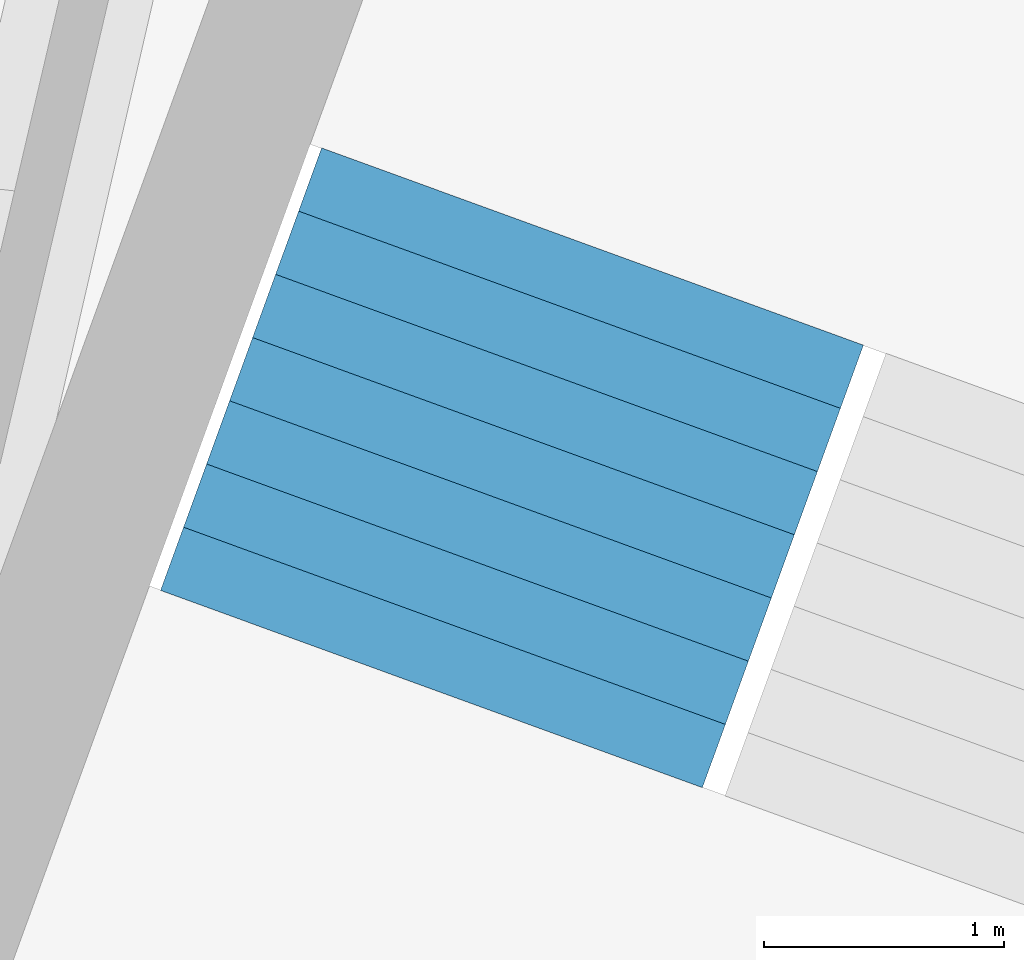
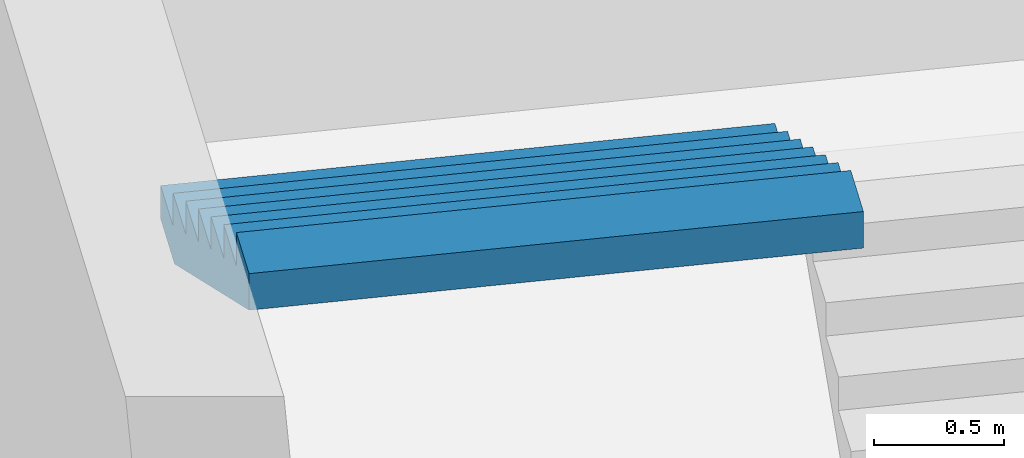
# One storey, part 46 of 73: 1 stair flight, 1 element without a shape of its own.
"""IFC4 building model written with IfcOpenShell, lengths in metres."""

import ifcopenshell
import ifcopenshell.guid

model = None  # the IFC model being written
_history = None  # IfcOwnerHistory: only IFC2X3 demands one
_inside = {}  # id of a spatial element -> (the spatial element, [elements in it])
_under = {}  # id of a project, library or spatial element -> (it, [spatial elements below it])
_declared = {}  # id of a project -> (the project, [libraries it declares])
_typed = {}  # id of a type object -> (the type object, [elements of that type])
_made_of = {}  # id of a material, layer set ... -> (it, [elements and type objects made of it])


def new_model(schema):
    """Start an empty IFC model of exactly this schema.

    Asked for "IFC4X3", IfcOpenShell would pick the latest addendum, in which some entities
    have other attributes; the version numbers below select the first issue.
    IFC2X3 requires an IfcOwnerHistory on every rooted entity: one is made here for all.
    """
    global model, _history
    if schema == "IFC4X3":
        model = ifcopenshell.file(schema_version=(4, 3, 0, 0))
    else:
        model = ifcopenshell.file(schema=schema)
    _inside.clear()
    _under.clear()
    _declared.clear()
    _typed.clear()
    _made_of.clear()
    _history = None
    if model.schema == "IFC2X3":
        org = make("IfcOrganization", Name="unknown")
        user = make(
            "IfcPersonAndOrganization",
            ThePerson=make("IfcPerson", FamilyName="unknown"),
            TheOrganization=org,
        )
        app = make(
            "IfcApplication",
            ApplicationDeveloper=org,
            Version="unknown",
            ApplicationFullName="unknown",
            ApplicationIdentifier="unknown",
        )
        _history = make(
            "IfcOwnerHistory",
            OwningUser=user,
            OwningApplication=app,
            ChangeAction="ADDED",
            CreationDate=0,
        )
    return model


def make(cls, **values):
    """One entity of the class cls with the attributes given. An attribute that is None is left unset."""
    return model.create_entity(
        cls, **{name: value for name, value in values.items() if value is not None}
    )


def rooted(cls, **values):
    """An entity with a GlobalId (a new one), such as an element, a storey or a relation."""
    return make(cls, GlobalId=ifcopenshell.guid.new(), OwnerHistory=_history, **values)


def si_unit(unit_type, name, prefix=None):
    """IfcSIUnit, for example si_unit("LENGTHUNIT", "METRE", prefix="MILLI")."""
    return make("IfcSIUnit", UnitType=unit_type, Prefix=prefix, Name=name)


def assignment(units):
    """IfcUnitAssignment: the units of a project."""
    return None if units is None else make("IfcUnitAssignment", Units=units)


def point(xyz):
    """IfcCartesianPoint."""
    return None if xyz is None else make("IfcCartesianPoint", Coordinates=xyz)


def direction(xyz):
    """IfcDirection."""
    return None if xyz is None else make("IfcDirection", DirectionRatios=xyz)


def frame(location, z_axis=None, x_axis=None):
    """IfcAxis2Placement3D, a coordinate frame: its origin and axes. An axis left out is left unset."""
    return make(
        "IfcAxis2Placement3D",
        Location=point(location),
        Axis=direction(z_axis),
        RefDirection=direction(x_axis),
    )


def origin():
    """The frame at (0, 0, 0) with its axes left unset."""
    return frame((0.0, 0.0, 0.0))


def place(relative_to, where):
    """IfcLocalPlacement: puts the frame where relative to a parent placement (None: the world)."""
    return make(
        "IfcLocalPlacement", PlacementRelTo=relative_to, RelativePlacement=where
    )


def context(
    kind, dimensions, precision=None, world=None, true_north=None, identifier=None
):
    """IfcGeometricRepresentationContext, for example the 3D "Model" context."""
    return make(
        "IfcGeometricRepresentationContext",
        ContextIdentifier=identifier,
        ContextType=kind,
        CoordinateSpaceDimension=dimensions,
        Precision=precision,
        WorldCoordinateSystem=world,
        TrueNorth=true_north,
    )


def subcontext(parent, identifier, kind, view, scale=None):
    """IfcGeometricRepresentationSubContext, for example "Body" below "Model"."""
    return make(
        "IfcGeometricRepresentationSubContext",
        ContextIdentifier=identifier,
        ContextType=kind,
        ParentContext=parent,
        TargetScale=scale,
        TargetView=view,
    )


def project(units=None, contexts=None):
    """IfcProject with its units and contexts."""
    return rooted(
        "IfcProject",
        Name="project",
        RepresentationContexts=contexts,
        UnitsInContext=assignment(units),
    )


def spatial(cls, under=None, at=None, **own):
    """A site, building, storey or space (cls), placed at a placement, below another one or the project."""
    s = rooted(cls, ObjectPlacement=at, **own)
    if under is not None:
        _under.setdefault(under.id(), (under, []))[1].append(s)
    return s


def point_list(points):
    """IfcCartesianPointList2D or 3D."""
    cls = (
        "IfcCartesianPointList2D" if len(points[0]) == 2 else "IfcCartesianPointList3D"
    )
    return make(cls, CoordList=points)


def triangles(points, corners, closed=None, point_numbers=None):
    """IfcTriangulatedFaceSet: each triangle names its three corners, points numbered from 1."""
    return make(
        "IfcTriangulatedFaceSet",
        Coordinates=point_list(points),
        Closed=closed,
        CoordIndex=corners,
        PnIndex=point_numbers,
    )


def shape(context_of_items, identifier, shape_type, items):
    """IfcShapeRepresentation: the items that make up one representation, for example the "Body"."""
    return make(
        "IfcShapeRepresentation",
        ContextOfItems=context_of_items,
        RepresentationIdentifier=identifier,
        RepresentationType=shape_type,
        Items=items,
    )


def material(Name=None, Category=None):
    """IfcMaterial."""
    return make("IfcMaterial", Name=Name, Category=Category)


def made_of(thing, what):
    """Note that an element or type object is made of a material, layer set ...; save() writes the relation."""
    if what is not None:
        _made_of.setdefault(what.id(), (what, []))[1].append(thing)
    return thing


def type_object(cls, material=None, **own):
    """A type object (cls), such as IfcWallType, which elements share."""
    return made_of(rooted(cls, **own), material)


def element(
    cls,
    number,
    at=None,
    inside=None,
    cuts=None,
    type_object=None,
    material=None,
    context=None,
    identifier="Body",
    shape_type=None,
    held_by="IfcProductDefinitionShape",
    body=None,
    shapes=None,
    **own,
):
    """One element of the class cls, such as IfcWall. Its Tag is "e" and its number.

    at: its placement. inside: the storey or other place that contains it. cuts: it is an
    opening in that element (IfcRelVoidsElement). A single representation is given by context,
    identifier, shape_type and body (its items); several are given by shapes. held_by: the class
    of the entity that holds the representations. save() writes the other relations.
    """
    e = rooted(cls, Tag="e%d" % number, ObjectPlacement=at, **own)
    if body is not None:
        shapes = [shape(context, identifier, shape_type, body)]
    if shapes is not None:
        e.Representation = make(held_by, Representations=shapes)
    if inside is not None:
        _inside.setdefault(inside.id(), (inside, []))[1].append(e)
    if cuts is not None:
        rooted(
            "IfcRelVoidsElement", RelatingBuildingElement=cuts, RelatedOpeningElement=e
        )
    if type_object is not None:
        _typed.setdefault(type_object.id(), (type_object, []))[1].append(e)
    return made_of(e, material)


def aggregate(whole, parts):
    """IfcRelAggregates: a whole, such as a stair, and the parts it consists of."""
    return rooted("IfcRelAggregates", RelatingObject=whole, RelatedObjects=parts)


def save(model, path):
    """Write the relations noted so far, then the file.

    IfcRelAggregates (storeys below a building ...), IfcRelContainedInSpatialStructure (elements
    in a storey), IfcRelDefinesByType, IfcRelAssociatesMaterial and IfcRelDeclares: one each for
    every whole, place, type object, material and project.
    """
    for whole, parts in _under.values():
        aggregate(whole, parts)
    for where, things in _inside.values():
        rooted(
            "IfcRelContainedInSpatialStructure",
            RelatedElements=things,
            RelatingStructure=where,
        )
    for kind, things in _typed.values():
        rooted("IfcRelDefinesByType", RelatedObjects=things, RelatingType=kind)
    for what, things in _made_of.values():
        rooted("IfcRelAssociatesMaterial", RelatedObjects=things, RelatingMaterial=what)
    for by, libraries in _declared.values():
        rooted("IfcRelDeclares", RelatingContext=by, RelatedDefinitions=libraries)
    model.write(path)


model = new_model("IFC4")

# Units and contexts
model_context = context("Model", 3, precision=1e-05, world=origin(), true_north=direction((0.0, 1.0)))
body_context = subcontext(model_context, "Body", "Model", "MODEL_VIEW")
ifc_project = project(units=[si_unit("LENGTHUNIT", "METRE"), si_unit("AREAUNIT", "SQUARE_METRE"), si_unit("VOLUMEUNIT", "CUBIC_METRE"), si_unit("PLANEANGLEUNIT", "RADIAN"), si_unit("MASSUNIT", "GRAM", prefix="KILO")], contexts=[model_context])

# Site, building, storey
site_placement = place(None, origin())
site = spatial("IfcSite", under=ifc_project, at=site_placement, CompositionType="ELEMENT")
building_placement = place(site_placement, origin())
building = spatial("IfcBuilding", under=site, at=building_placement, Name="Lantaw Convention Tower", CompositionType="ELEMENT")
storey_placement = place(building_placement, frame((0.0, 0.0, 27.0)))
storey = spatial("IfcBuildingStorey", under=building, at=storey_placement, Name="L04", CompositionType="ELEMENT", Elevation=27.0)

# Stair, stair flight
ifc_material = material(Name="Concrete C35/45", Category="concrete")
stair_type = type_object("IfcStairType", Name="Exit stair 2400 riser 156.25 in 4 flights", PredefinedType="HALF_TURN_STAIR", material=ifc_material)
stair_placement = place(storey_placement, origin())
stair = element("IfcStair", 1, at=stair_placement, inside=storey, type_object=stair_type, Name="Podium exit stair P5 L04", PredefinedType="HALF_TURN_STAIR")
stair_flight_type = type_object("IfcStairFlightType", Name="Stair flight 2400 riser 156.25", PredefinedType="STRAIGHT", material=ifc_material)
stair_flight_placement = place(storey_placement, frame((8.79736328125, 27.825439453125, 3.75), z_axis=(0.0, 0.0, 1.0), x_axis=(-0.342020143326, -0.939692620786, 0.0)))
stair_flight = element("IfcStairFlight", 2, at=stair_flight_placement, type_object=stair_flight_type, Name="P5 flight 4", NumberOfRisers=8, NumberOfTreads=7, PredefinedType="STRAIGHT", RiserHeight=0.15625, TreadLength=0.28, context=body_context, shape_type="Tessellation", body=[
    triangles([(0.0, 1.199951171875, 0.0), (0.0, 1.199951171875, 0.15625), (0.28, 1.199951171875, 0.0), (0.28, 1.199951171875, 0.15625), (0.28, 1.199951171875, 0.3125), (0.3076200632058044, 1.199951171875, 0.0), (0.3076200632058044, 1.199951171875, 0.3125), (0.56, 1.199951171875, 0.14083701830033238), (0.56, 1.199951171875, 0.3125), (0.56, 1.199951171875, 0.46875), (0.8400000000000001, 1.199951171875, 0.29708701830033235), (0.8400000000000001, 1.199951171875, 0.46875), (0.8400000000000001, 1.199951171875, 0.625), (1.12, 1.199951171875, 0.45333701830033235), (1.12, 1.199951171875, 0.625), (1.12, 1.199951171875, 0.78125), (1.4000000000000001, 1.199951171875, 0.6095870183003324), (1.4000000000000001, 1.199951171875, 0.78125), (1.4000000000000001, 1.199951171875, 0.9375), (1.6800000000000002, 1.199951171875, 0.7658370183003324), (1.6800000000000002, 1.199951171875, 0.9375), (1.6800000000000002, 1.199951171875, 1.09375), (1.9600000000000002, 1.199951171875, 0.9220870183003324), (1.9600000000000002, 1.199951171875, 1.09375), (0.0, -1.199951171875, 0.0), (0.0, -1.199951171875, 0.15625), (0.28, -1.199951171875, 0.0), (0.28, -1.199951171875, 0.15625), (0.28, -1.199951171875, 0.3125), (0.3076200632058044, -1.199951171875, 0.0), (0.3076200632058044, -1.199951171875, 0.3125), (0.56, -1.199951171875, 0.14083701830033238), (0.56, -1.199951171875, 0.3125), (0.56, -1.199951171875, 0.46875), (0.8400000000000001, -1.199951171875, 0.29708701830033235), (0.8400000000000001, -1.199951171875, 0.46875), (0.8400000000000001, -1.199951171875, 0.625), (1.12, -1.199951171875, 0.45333701830033235), (1.12, -1.199951171875, 0.625), (1.12, -1.199951171875, 0.78125), (1.4000000000000001, -1.199951171875, 0.6095870183003324), (1.4000000000000001, -1.199951171875, 0.78125), (1.4000000000000001, -1.199951171875, 0.9375), (1.6800000000000002, -1.199951171875, 0.7658370183003324), (1.6800000000000002, -1.199951171875, 0.9375), (1.6800000000000002, -1.199951171875, 1.09375), (1.9600000000000002, -1.199951171875, 0.9220870183003324), (1.9600000000000002, -1.199951171875, 1.09375), (0.0, 0.239990234375, 0.15625), (0.0, 0.239990234375, 0.0), (0.0, 0.1919921875, 0.15625), (0.0, 0.1919921875, 0.0), (0.0, 0.143994140625, 0.15625), (0.0, 0.143994140625, 0.0), (0.0, 0.09599609375, 0.15625), (0.0, 0.09599609375, 0.0), (0.0, 0.047998046875, 0.15625), (0.0, 0.047998046875, 0.0), (0.0, 0.0, 0.15625), (0.0, 0.0, 0.0), (0.0, -0.047998046875, 0.15625), (0.0, -0.047998046875, 0.0), (0.0, -0.09599609375, 0.15625), (0.0, -0.09599609375, 0.0), (0.0, -0.143994140625, 0.15625), (0.0, -0.143994140625, 0.0), (0.0, -0.1919921875, 0.15625), (0.0, -0.1919921875, 0.0), (0.0, -0.239990234375, 0.15625), (0.0, -0.239990234375, 0.0), (0.28, 0.239990234375, 0.3125), (0.28, 0.239990234375, 0.15625), (0.28, 0.1919921875, 0.3125), (0.28, 0.1919921875, 0.15625), (0.28, 0.143994140625, 0.3125), (0.28, 0.143994140625, 0.15625), (0.28, 0.09599609375, 0.3125), (0.28, 0.09599609375, 0.15625), (0.28, 0.047998046875, 0.3125), (0.28, 0.047998046875, 0.15625), (0.28, 0.0, 0.3125), (0.28, 0.0, 0.15625), (0.28, -0.047998046875, 0.3125), (0.28, -0.047998046875, 0.15625), (0.28, -0.09599609375, 0.3125), (0.28, -0.09599609375, 0.15625), (0.28, -0.143994140625, 0.3125), (0.28, -0.143994140625, 0.15625), (0.28, -0.1919921875, 0.3125), (0.28, -0.1919921875, 0.15625), (0.28, -0.239990234375, 0.3125), (0.28, -0.239990234375, 0.15625), (0.56, 0.239990234375, 0.46875), (0.56, 0.239990234375, 0.3125), (0.56, 0.1919921875, 0.46875), (0.56, 0.1919921875, 0.3125), (0.56, 0.143994140625, 0.46875), (0.56, 0.143994140625, 0.3125), (0.56, 0.09599609375, 0.46875), (0.56, 0.09599609375, 0.3125), (0.56, 0.047998046875, 0.46875), (0.56, 0.047998046875, 0.3125), (0.56, 0.0, 0.46875), (0.56, 0.0, 0.3125), (0.56, -0.047998046875, 0.46875), (0.56, -0.047998046875, 0.3125), (0.56, -0.09599609375, 0.46875), (0.56, -0.09599609375, 0.3125), (0.56, -0.143994140625, 0.46875), (0.56, -0.143994140625, 0.3125), (0.56, -0.1919921875, 0.46875), (0.56, -0.1919921875, 0.3125), (0.56, -0.239990234375, 0.46875), (0.56, -0.239990234375, 0.3125), (0.8400000000000001, 0.239990234375, 0.625), (0.8400000000000001, 0.239990234375, 0.46875), (0.8400000000000001, 0.1919921875, 0.625), (0.8400000000000001, 0.1919921875, 0.46875), (0.8400000000000001, 0.143994140625, 0.625), (0.8400000000000001, 0.143994140625, 0.46875), (0.8400000000000001, 0.09599609375, 0.625), (0.8400000000000001, 0.09599609375, 0.46875), (0.8400000000000001, 0.047998046875, 0.625), (0.8400000000000001, 0.047998046875, 0.46875), (0.8400000000000001, 0.0, 0.625), (0.8400000000000001, 0.0, 0.46875), (0.8400000000000001, -0.047998046875, 0.625), (0.8400000000000001, -0.047998046875, 0.46875), (0.8400000000000001, -0.09599609375, 0.625), (0.8400000000000001, -0.09599609375, 0.46875), (0.8400000000000001, -0.143994140625, 0.625), (0.8400000000000001, -0.143994140625, 0.46875), (0.8400000000000001, -0.1919921875, 0.625), (0.8400000000000001, -0.1919921875, 0.46875), (0.8400000000000001, -0.239990234375, 0.625), (0.8400000000000001, -0.239990234375, 0.46875), (1.12, 0.239990234375, 0.78125), (1.12, 0.239990234375, 0.625), (1.12, 0.1919921875, 0.78125), (1.12, 0.1919921875, 0.625), (1.12, 0.143994140625, 0.78125), (1.12, 0.143994140625, 0.625), (1.12, 0.09599609375, 0.78125), (1.12, 0.09599609375, 0.625), (1.12, 0.047998046875, 0.78125), (1.12, 0.047998046875, 0.625), (1.12, 0.0, 0.78125), (1.12, 0.0, 0.625), (1.12, -0.047998046875, 0.78125), (1.12, -0.047998046875, 0.625), (1.12, -0.09599609375, 0.78125), (1.12, -0.09599609375, 0.625), (1.12, -0.143994140625, 0.78125), (1.12, -0.143994140625, 0.625), (1.12, -0.1919921875, 0.78125), (1.12, -0.1919921875, 0.625), (1.12, -0.239990234375, 0.78125), (1.12, -0.239990234375, 0.625), (1.4000000000000001, 0.239990234375, 0.9375), (1.4000000000000001, 0.239990234375, 0.78125), (1.4000000000000001, 0.1919921875, 0.9375), (1.4000000000000001, 0.1919921875, 0.78125), (1.4000000000000001, 0.143994140625, 0.9375), (1.4000000000000001, 0.143994140625, 0.78125), (1.4000000000000001, 0.09599609375, 0.9375), (1.4000000000000001, 0.09599609375, 0.78125), (1.4000000000000001, 0.047998046875, 0.9375), (1.4000000000000001, 0.047998046875, 0.78125), (1.4000000000000001, 0.0, 0.9375), (1.4000000000000001, 0.0, 0.78125), (1.4000000000000001, -0.047998046875, 0.9375), (1.4000000000000001, -0.047998046875, 0.78125), (1.4000000000000001, -0.09599609375, 0.9375), (1.4000000000000001, -0.09599609375, 0.78125), (1.4000000000000001, -0.143994140625, 0.9375), (1.4000000000000001, -0.143994140625, 0.78125), (1.4000000000000001, -0.1919921875, 0.9375), (1.4000000000000001, -0.1919921875, 0.78125), (1.4000000000000001, -0.239990234375, 0.9375), (1.4000000000000001, -0.239990234375, 0.78125), (1.6800000000000002, 0.239990234375, 1.09375), (1.6800000000000002, 0.239990234375, 0.9375), (1.6800000000000002, 0.1919921875, 1.09375), (1.6800000000000002, 0.1919921875, 0.9375), (1.6800000000000002, 0.143994140625, 1.09375), (1.6800000000000002, 0.143994140625, 0.9375), (1.6800000000000002, 0.09599609375, 1.09375), (1.6800000000000002, 0.09599609375, 0.9375), (1.6800000000000002, 0.047998046875, 1.09375), (1.6800000000000002, 0.047998046875, 0.9375), (1.6800000000000002, 0.0, 1.09375), (1.6800000000000002, 0.0, 0.9375), (1.6800000000000002, -0.047998046875, 1.09375), (1.6800000000000002, -0.047998046875, 0.9375), (1.6800000000000002, -0.09599609375, 1.09375), (1.6800000000000002, -0.09599609375, 0.9375), (1.6800000000000002, -0.143994140625, 1.09375), (1.6800000000000002, -0.143994140625, 0.9375), (1.6800000000000002, -0.1919921875, 1.09375), (1.6800000000000002, -0.1919921875, 0.9375), (1.6800000000000002, -0.239990234375, 1.09375), (1.6800000000000002, -0.239990234375, 0.9375), (0.3076200632058044, 0.239990234375, 0.3125), (0.3076200632058044, 0.1919921875, 0.3125), (0.3076200632058044, 0.143994140625, 0.3125), (0.3076200632058044, 0.09599609375, 0.3125), (0.3076200632058044, 0.047998046875, 0.3125), (0.3076200632058044, 0.0, 0.3125), (0.3076200632058044, -0.047998046875, 0.3125), (0.3076200632058044, -0.09599609375, 0.3125), (0.3076200632058044, -0.143994140625, 0.3125), (0.3076200632058044, -0.1919921875, 0.3125), (0.3076200632058044, -0.239990234375, 0.3125), (1.9600000000000002, 0.239990234375, 1.09375), (1.9600000000000002, 0.1919921875, 1.09375), (1.9600000000000002, 0.143994140625, 1.09375), (1.9600000000000002, 0.09599609375, 1.09375), (1.9600000000000002, 0.047998046875, 1.09375), (1.9600000000000002, 0.0, 1.09375), (1.9600000000000002, -0.047998046875, 1.09375), (1.9600000000000002, -0.09599609375, 1.09375), (1.9600000000000002, -0.143994140625, 1.09375), (1.9600000000000002, -0.1919921875, 1.09375), (1.9600000000000002, -0.239990234375, 1.09375), (1.9600000000000002, 0.239990234375, 0.9220870183003324), (1.9600000000000002, 0.1919921875, 0.9220870183003324), (1.9600000000000002, 0.143994140625, 0.9220870183003324), (1.9600000000000002, 0.09599609375, 0.9220870183003324), (1.9600000000000002, 0.047998046875, 0.9220870183003324), (1.9600000000000002, 0.0, 0.9220870183003324), (1.9600000000000002, -0.047998046875, 0.9220870183003324), (1.9600000000000002, -0.09599609375, 0.9220870183003324), (1.9600000000000002, -0.143994140625, 0.9220870183003324), (1.9600000000000002, -0.1919921875, 0.9220870183003324), (1.9600000000000002, -0.239990234375, 0.9220870183003324), (1.6800000000000002, 0.239990234375, 0.7658370183003324), (1.6800000000000002, 0.1919921875, 0.7658370183003324), (1.6800000000000002, 0.143994140625, 0.7658370183003324), (1.6800000000000002, 0.09599609375, 0.7658370183003324), (1.6800000000000002, 0.047998046875, 0.7658370183003324), (1.6800000000000002, 0.0, 0.7658370183003324), (1.6800000000000002, -0.047998046875, 0.7658370183003324), (1.6800000000000002, -0.09599609375, 0.7658370183003324), (1.6800000000000002, -0.143994140625, 0.7658370183003324), (1.6800000000000002, -0.1919921875, 0.7658370183003324), (1.6800000000000002, -0.239990234375, 0.7658370183003324), (1.4000000000000001, 0.239990234375, 0.6095870183003324), (1.4000000000000001, 0.1919921875, 0.6095870183003324), (1.4000000000000001, 0.143994140625, 0.6095870183003324), (1.4000000000000001, 0.09599609375, 0.6095870183003324), (1.4000000000000001, 0.047998046875, 0.6095870183003324), (1.4000000000000001, 0.0, 0.6095870183003324), (1.4000000000000001, -0.047998046875, 0.6095870183003324), (1.4000000000000001, -0.09599609375, 0.6095870183003324), (1.4000000000000001, -0.143994140625, 0.6095870183003324), (1.4000000000000001, -0.1919921875, 0.6095870183003324), (1.4000000000000001, -0.239990234375, 0.6095870183003324), (1.12, 0.239990234375, 0.45333701830033235), (1.12, 0.1919921875, 0.45333701830033235), (1.12, 0.143994140625, 0.45333701830033235), (1.12, 0.09599609375, 0.45333701830033235), (1.12, 0.047998046875, 0.45333701830033235), (1.12, 0.0, 0.45333701830033235), (1.12, -0.047998046875, 0.45333701830033235), (1.12, -0.09599609375, 0.45333701830033235), (1.12, -0.143994140625, 0.45333701830033235), (1.12, -0.1919921875, 0.45333701830033235), (1.12, -0.239990234375, 0.45333701830033235), (0.8400000000000001, 0.239990234375, 0.29708701830033235), (0.8400000000000001, 0.1919921875, 0.29708701830033235), (0.8400000000000001, 0.143994140625, 0.29708701830033235), (0.8400000000000001, 0.09599609375, 0.29708701830033235), (0.8400000000000001, 0.047998046875, 0.29708701830033235), (0.8400000000000001, 0.0, 0.29708701830033235), (0.8400000000000001, -0.047998046875, 0.29708701830033235), (0.8400000000000001, -0.09599609375, 0.29708701830033235), (0.8400000000000001, -0.143994140625, 0.29708701830033235), (0.8400000000000001, -0.1919921875, 0.29708701830033235), (0.8400000000000001, -0.239990234375, 0.29708701830033235), (0.56, 0.239990234375, 0.14083701830033238), (0.56, 0.1919921875, 0.14083701830033238), (0.56, 0.143994140625, 0.14083701830033238), (0.56, 0.09599609375, 0.14083701830033238), (0.56, 0.047998046875, 0.14083701830033238), (0.56, 0.0, 0.14083701830033238), (0.56, -0.047998046875, 0.14083701830033238), (0.56, -0.09599609375, 0.14083701830033238), (0.56, -0.143994140625, 0.14083701830033238), (0.56, -0.1919921875, 0.14083701830033238), (0.56, -0.239990234375, 0.14083701830033238), (0.3076200632058044, 0.239990234375, 0.0), (0.3076200632058044, 0.1919921875, 0.0), (0.3076200632058044, 0.143994140625, 0.0), (0.3076200632058044, 0.09599609375, 0.0), (0.3076200632058044, 0.047998046875, 0.0), (0.3076200632058044, 0.0, 0.0), (0.3076200632058044, -0.047998046875, 0.0), (0.3076200632058044, -0.09599609375, 0.0), (0.3076200632058044, -0.143994140625, 0.0), (0.3076200632058044, -0.1919921875, 0.0), (0.3076200632058044, -0.239990234375, 0.0), (0.28, 0.239990234375, 0.0), (0.28, 0.1919921875, 0.0), (0.28, 0.143994140625, 0.0), (0.28, 0.09599609375, 0.0), (0.28, 0.047998046875, 0.0), (0.28, 0.0, 0.0), (0.28, -0.047998046875, 0.0), (0.28, -0.09599609375, 0.0), (0.28, -0.143994140625, 0.0), (0.28, -0.1919921875, 0.0), (0.28, -0.239990234375, 0.0)], [[1, 4, 3], [1, 2, 4], [3, 4, 6], [4, 7, 6], [4, 5, 7], [6, 9, 8], [6, 7, 9], [8, 9, 11], [9, 12, 11], [9, 10, 12], [11, 12, 14], [12, 15, 14], [12, 13, 15], [14, 15, 17], [15, 18, 17], [15, 16, 18], [17, 18, 20], [18, 21, 20], [18, 19, 21], [20, 21, 23], [21, 24, 23], [21, 22, 24], [25, 27, 28], [25, 28, 26], [27, 30, 28], [28, 30, 31], [28, 31, 29], [30, 32, 33], [30, 33, 31], [32, 35, 33], [33, 35, 36], [33, 36, 34], [35, 38, 36], [36, 38, 39], [36, 39, 37], [38, 41, 39], [39, 41, 42], [39, 42, 40], [41, 44, 42], [42, 44, 45], [42, 45, 43], [44, 47, 45], [45, 47, 48], [45, 48, 46], [1, 49, 2], [1, 50, 49], [50, 51, 49], [50, 52, 51], [52, 53, 51], [52, 54, 53], [54, 55, 53], [54, 56, 55], [56, 57, 55], [56, 58, 57], [58, 59, 57], [58, 60, 59], [60, 61, 59], [60, 62, 61], [62, 63, 61], [62, 64, 63], [64, 65, 63], [64, 66, 65], [66, 67, 65], [66, 68, 67], [68, 69, 67], [68, 70, 69], [70, 26, 69], [70, 25, 26], [4, 71, 5], [4, 72, 71], [72, 73, 71], [72, 74, 73], [74, 75, 73], [74, 76, 75], [76, 77, 75], [76, 78, 77], [78, 79, 77], [78, 80, 79], [80, 81, 79], [80, 82, 81], [82, 83, 81], [82, 84, 83], [84, 85, 83], [84, 86, 85], [86, 87, 85], [86, 88, 87], [88, 89, 87], [88, 90, 89], [90, 91, 89], [90, 92, 91], [92, 29, 91], [92, 28, 29], [9, 93, 10], [9, 94, 93], [94, 95, 93], [94, 96, 95], [96, 97, 95], [96, 98, 97], [98, 99, 97], [98, 100, 99], [100, 101, 99], [100, 102, 101], [102, 103, 101], [102, 104, 103], [104, 105, 103], [104, 106, 105], [106, 107, 105], [106, 108, 107], [108, 109, 107], [108, 110, 109], [110, 111, 109], [110, 112, 111], [112, 113, 111], [112, 114, 113], [114, 34, 113], [114, 33, 34], [12, 115, 13], [12, 116, 115], [116, 117, 115], [116, 118, 117], [118, 119, 117], [118, 120, 119], [120, 121, 119], [120, 122, 121], [122, 123, 121], [122, 124, 123], [124, 125, 123], [124, 126, 125], [126, 127, 125], [126, 128, 127], [128, 129, 127], [128, 130, 129], [130, 131, 129], [130, 132, 131], [132, 133, 131], [132, 134, 133], [134, 135, 133], [134, 136, 135], [136, 37, 135], [136, 36, 37], [15, 137, 16], [15, 138, 137], [138, 139, 137], [138, 140, 139], [140, 141, 139], [140, 142, 141], [142, 143, 141], [142, 144, 143], [144, 145, 143], [144, 146, 145], [146, 147, 145], [146, 148, 147], [148, 149, 147], [148, 150, 149], [150, 151, 149], [150, 152, 151], [152, 153, 151], [152, 154, 153], [154, 155, 153], [154, 156, 155], [156, 157, 155], [156, 158, 157], [158, 40, 157], [158, 39, 40], [18, 159, 19], [18, 160, 159], [160, 161, 159], [160, 162, 161], [162, 163, 161], [162, 164, 163], [164, 165, 163], [164, 166, 165], [166, 167, 165], [166, 168, 167], [168, 169, 167], [168, 170, 169], [170, 171, 169], [170, 172, 171], [172, 173, 171], [172, 174, 173], [174, 175, 173], [174, 176, 175], [176, 177, 175], [176, 178, 177], [178, 179, 177], [178, 180, 179], [180, 43, 179], [180, 42, 43], [21, 181, 22], [21, 182, 181], [182, 183, 181], [182, 184, 183], [184, 185, 183], [184, 186, 185], [186, 187, 185], [186, 188, 187], [188, 189, 187], [188, 190, 189], [190, 191, 189], [190, 192, 191], [192, 193, 191], [192, 194, 193], [194, 195, 193], [194, 196, 195], [196, 197, 195], [196, 198, 197], [198, 199, 197], [198, 200, 199], [200, 201, 199], [200, 202, 201], [202, 46, 201], [202, 45, 46], [2, 72, 4], [2, 49, 72], [49, 74, 72], [49, 51, 74], [51, 76, 74], [51, 53, 76], [53, 78, 76], [53, 55, 78], [55, 80, 78], [55, 57, 80], [57, 82, 80], [57, 59, 82], [59, 84, 82], [59, 61, 84], [61, 86, 84], [61, 63, 86], [63, 88, 86], [63, 65, 88], [65, 90, 88], [65, 67, 90], [67, 92, 90], [67, 69, 92], [69, 28, 92], [69, 26, 28], [5, 203, 7], [5, 71, 203], [71, 204, 203], [71, 73, 204], [73, 205, 204], [73, 75, 205], [75, 206, 205], [75, 77, 206], [77, 207, 206], [77, 79, 207], [79, 208, 207], [79, 81, 208], [81, 209, 208], [81, 83, 209], [83, 210, 209], [83, 85, 210], [85, 211, 210], [85, 87, 211], [87, 212, 211], [87, 89, 212], [89, 213, 212], [89, 91, 213], [91, 31, 213], [91, 29, 31], [7, 94, 9], [7, 203, 94], [203, 96, 94], [203, 204, 96], [204, 98, 96], [204, 205, 98], [205, 100, 98], [205, 206, 100], [206, 102, 100], [206, 207, 102], [207, 104, 102], [207, 208, 104], [208, 106, 104], [208, 209, 106], [209, 108, 106], [209, 210, 108], [210, 110, 108], [210, 211, 110], [211, 112, 110], [211, 212, 112], [212, 114, 112], [212, 213, 114], [213, 33, 114], [213, 31, 33], [10, 116, 12], [10, 93, 116], [93, 118, 116], [93, 95, 118], [95, 120, 118], [95, 97, 120], [97, 122, 120], [97, 99, 122], [99, 124, 122], [99, 101, 124], [101, 126, 124], [101, 103, 126], [103, 128, 126], [103, 105, 128], [105, 130, 128], [105, 107, 130], [107, 132, 130], [107, 109, 132], [109, 134, 132], [109, 111, 134], [111, 136, 134], [111, 113, 136], [113, 36, 136], [113, 34, 36], [13, 138, 15], [13, 115, 138], [115, 140, 138], [115, 117, 140], [117, 142, 140], [117, 119, 142], [119, 144, 142], [119, 121, 144], [121, 146, 144], [121, 123, 146], [123, 148, 146], [123, 125, 148], [125, 150, 148], [125, 127, 150], [127, 152, 150], [127, 129, 152], [129, 154, 152], [129, 131, 154], [131, 156, 154], [131, 133, 156], [133, 158, 156], [133, 135, 158], [135, 39, 158], [135, 37, 39], [16, 160, 18], [16, 137, 160], [137, 162, 160], [137, 139, 162], [139, 164, 162], [139, 141, 164], [141, 166, 164], [141, 143, 166], [143, 168, 166], [143, 145, 168], [145, 170, 168], [145, 147, 170], [147, 172, 170], [147, 149, 172], [149, 174, 172], [149, 151, 174], [151, 176, 174], [151, 153, 176], [153, 178, 176], [153, 155, 178], [155, 180, 178], [155, 157, 180], [157, 42, 180], [157, 40, 42], [19, 182, 21], [19, 159, 182], [159, 184, 182], [159, 161, 184], [161, 186, 184], [161, 163, 186], [163, 188, 186], [163, 165, 188], [165, 190, 188], [165, 167, 190], [167, 192, 190], [167, 169, 192], [169, 194, 192], [169, 171, 194], [171, 196, 194], [171, 173, 196], [173, 198, 196], [173, 175, 198], [175, 200, 198], [175, 177, 200], [177, 202, 200], [177, 179, 202], [179, 45, 202], [179, 43, 45], [22, 214, 24], [22, 181, 214], [181, 215, 214], [181, 183, 215], [183, 216, 215], [183, 185, 216], [185, 217, 216], [185, 187, 217], [187, 218, 217], [187, 189, 218], [189, 219, 218], [189, 191, 219], [191, 220, 219], [191, 193, 220], [193, 221, 220], [193, 195, 221], [195, 222, 221], [195, 197, 222], [197, 223, 222], [197, 199, 223], [199, 224, 223], [199, 201, 224], [201, 48, 224], [201, 46, 48], [24, 225, 23], [24, 214, 225], [214, 226, 225], [214, 215, 226], [215, 227, 226], [215, 216, 227], [216, 228, 227], [216, 217, 228], [217, 229, 228], [217, 218, 229], [218, 230, 229], [218, 219, 230], [219, 231, 230], [219, 220, 231], [220, 232, 231], [220, 221, 232], [221, 233, 232], [221, 222, 233], [222, 234, 233], [222, 223, 234], [223, 235, 234], [223, 224, 235], [224, 47, 235], [224, 48, 47], [23, 236, 20], [23, 225, 236], [225, 237, 236], [225, 226, 237], [226, 238, 237], [226, 227, 238], [227, 239, 238], [227, 228, 239], [228, 240, 239], [228, 229, 240], [229, 241, 240], [229, 230, 241], [230, 242, 241], [230, 231, 242], [231, 243, 242], [231, 232, 243], [232, 244, 243], [232, 233, 244], [233, 245, 244], [233, 234, 245], [234, 246, 245], [234, 235, 246], [235, 44, 246], [235, 47, 44], [20, 247, 17], [20, 236, 247], [236, 248, 247], [236, 237, 248], [237, 249, 248], [237, 238, 249], [238, 250, 249], [238, 239, 250], [239, 251, 250], [239, 240, 251], [240, 252, 251], [240, 241, 252], [241, 253, 252], [241, 242, 253], [242, 254, 253], [242, 243, 254], [243, 255, 254], [243, 244, 255], [244, 256, 255], [244, 245, 256], [245, 257, 256], [245, 246, 257], [246, 41, 257], [246, 44, 41], [17, 258, 14], [17, 247, 258], [247, 259, 258], [247, 248, 259], [248, 260, 259], [248, 249, 260], [249, 261, 260], [249, 250, 261], [250, 262, 261], [250, 251, 262], [251, 263, 262], [251, 252, 263], [252, 264, 263], [252, 253, 264], [253, 265, 264], [253, 254, 265], [254, 266, 265], [254, 255, 266], [255, 267, 266], [255, 256, 267], [256, 268, 267], [256, 257, 268], [257, 38, 268], [257, 41, 38], [14, 269, 11], [14, 258, 269], [258, 270, 269], [258, 259, 270], [259, 271, 270], [259, 260, 271], [260, 272, 271], [260, 261, 272], [261, 273, 272], [261, 262, 273], [262, 274, 273], [262, 263, 274], [263, 275, 274], [263, 264, 275], [264, 276, 275], [264, 265, 276], [265, 277, 276], [265, 266, 277], [266, 278, 277], [266, 267, 278], [267, 279, 278], [267, 268, 279], [268, 35, 279], [268, 38, 35], [11, 280, 8], [11, 269, 280], [269, 281, 280], [269, 270, 281], [270, 282, 281], [270, 271, 282], [271, 283, 282], [271, 272, 283], [272, 284, 283], [272, 273, 284], [273, 285, 284], [273, 274, 285], [274, 286, 285], [274, 275, 286], [275, 287, 286], [275, 276, 287], [276, 288, 287], [276, 277, 288], [277, 289, 288], [277, 278, 289], [278, 290, 289], [278, 279, 290], [279, 32, 290], [279, 35, 32], [8, 291, 6], [8, 280, 291], [280, 292, 291], [280, 281, 292], [281, 293, 292], [281, 282, 293], [282, 294, 293], [282, 283, 294], [283, 295, 294], [283, 284, 295], [284, 296, 295], [284, 285, 296], [285, 297, 296], [285, 286, 297], [286, 298, 297], [286, 287, 298], [287, 299, 298], [287, 288, 299], [288, 300, 299], [288, 289, 300], [289, 301, 300], [289, 290, 301], [290, 30, 301], [290, 32, 30], [6, 302, 3], [6, 291, 302], [291, 303, 302], [291, 292, 303], [292, 304, 303], [292, 293, 304], [293, 305, 304], [293, 294, 305], [294, 306, 305], [294, 295, 306], [295, 307, 306], [295, 296, 307], [296, 308, 307], [296, 297, 308], [297, 309, 308], [297, 298, 309], [298, 310, 309], [298, 299, 310], [299, 311, 310], [299, 300, 311], [300, 312, 311], [300, 301, 312], [301, 27, 312], [301, 30, 27], [3, 50, 1], [3, 302, 50], [302, 52, 50], [302, 303, 52], [303, 54, 52], [303, 304, 54], [304, 56, 54], [304, 305, 56], [305, 58, 56], [305, 306, 58], [306, 60, 58], [306, 307, 60], [307, 62, 60], [307, 308, 62], [308, 64, 62], [308, 309, 64], [309, 66, 64], [309, 310, 66], [310, 68, 66], [310, 311, 68], [311, 70, 68], [311, 312, 70], [312, 25, 70], [312, 27, 25]], closed=True),
])
aggregate(stair, [stair_flight])

save(model, "model.ifc")
